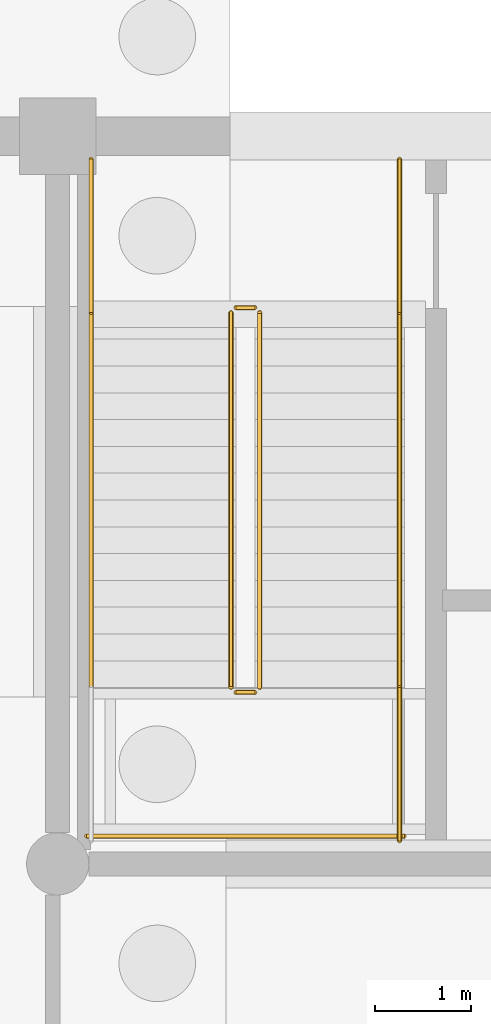
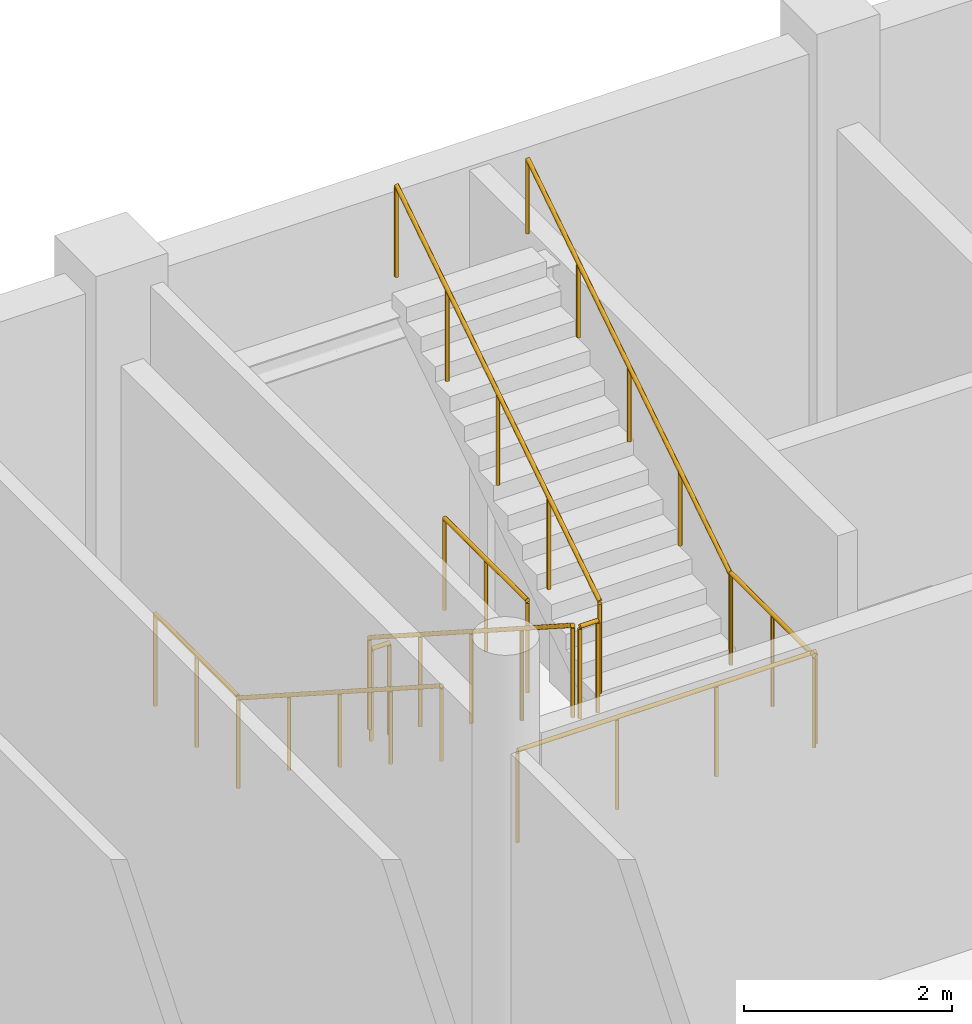
# One storey, part 42 of 44: 10 railings.
"""IFC4 building model written with IfcOpenShell, lengths in metres."""

import ifcopenshell
import ifcopenshell.guid

model = None  # the IFC model being written
_history = None  # IfcOwnerHistory: only IFC2X3 demands one
_inside = {}  # id of a spatial element -> (the spatial element, [elements in it])
_under = {}  # id of a project, library or spatial element -> (it, [spatial elements below it])
_declared = {}  # id of a project -> (the project, [libraries it declares])
_typed = {}  # id of a type object -> (the type object, [elements of that type])
_made_of = {}  # id of a material, layer set ... -> (it, [elements and type objects made of it])


def new_model(schema):
    """Start an empty IFC model of exactly this schema.

    Asked for "IFC4X3", IfcOpenShell would pick the latest addendum, in which some entities
    have other attributes; the version numbers below select the first issue.
    IFC2X3 requires an IfcOwnerHistory on every rooted entity: one is made here for all.
    """
    global model, _history
    if schema == "IFC4X3":
        model = ifcopenshell.file(schema_version=(4, 3, 0, 0))
    else:
        model = ifcopenshell.file(schema=schema)
    _inside.clear()
    _under.clear()
    _declared.clear()
    _typed.clear()
    _made_of.clear()
    _history = None
    if model.schema == "IFC2X3":
        org = make("IfcOrganization", Name="unknown")
        user = make(
            "IfcPersonAndOrganization",
            ThePerson=make("IfcPerson", FamilyName="unknown"),
            TheOrganization=org,
        )
        app = make(
            "IfcApplication",
            ApplicationDeveloper=org,
            Version="unknown",
            ApplicationFullName="unknown",
            ApplicationIdentifier="unknown",
        )
        _history = make(
            "IfcOwnerHistory",
            OwningUser=user,
            OwningApplication=app,
            ChangeAction="ADDED",
            CreationDate=0,
        )
    return model


def make(cls, **values):
    """One entity of the class cls with the attributes given. An attribute that is None is left unset."""
    return model.create_entity(
        cls, **{name: value for name, value in values.items() if value is not None}
    )


def rooted(cls, **values):
    """An entity with a GlobalId (a new one), such as an element, a storey or a relation."""
    return make(cls, GlobalId=ifcopenshell.guid.new(), OwnerHistory=_history, **values)


def si_unit(unit_type, name, prefix=None):
    """IfcSIUnit, for example si_unit("LENGTHUNIT", "METRE", prefix="MILLI")."""
    return make("IfcSIUnit", UnitType=unit_type, Prefix=prefix, Name=name)


def assignment(units):
    """IfcUnitAssignment: the units of a project."""
    return None if units is None else make("IfcUnitAssignment", Units=units)


def point(xyz):
    """IfcCartesianPoint."""
    return None if xyz is None else make("IfcCartesianPoint", Coordinates=xyz)


def direction(xyz):
    """IfcDirection."""
    return None if xyz is None else make("IfcDirection", DirectionRatios=xyz)


def frame(location, z_axis=None, x_axis=None):
    """IfcAxis2Placement3D, a coordinate frame: its origin and axes. An axis left out is left unset."""
    return make(
        "IfcAxis2Placement3D",
        Location=point(location),
        Axis=direction(z_axis),
        RefDirection=direction(x_axis),
    )


def frame_2d(location, x_axis=None):
    """IfcAxis2Placement2D, a coordinate frame in the plane: its origin and x axis."""
    return make(
        "IfcAxis2Placement2D", Location=point(location), RefDirection=direction(x_axis)
    )


def origin():
    """The frame at (0, 0, 0) with its axes left unset."""
    return frame((0.0, 0.0, 0.0))


def origin_2d():
    """The frame at (0, 0) in the plane with its x axis left unset."""
    return frame_2d((0.0, 0.0))


def place(relative_to, where):
    """IfcLocalPlacement: puts the frame where relative to a parent placement (None: the world)."""
    return make(
        "IfcLocalPlacement", PlacementRelTo=relative_to, RelativePlacement=where
    )


def context(
    kind, dimensions, precision=None, world=None, true_north=None, identifier=None
):
    """IfcGeometricRepresentationContext, for example the 3D "Model" context."""
    return make(
        "IfcGeometricRepresentationContext",
        ContextIdentifier=identifier,
        ContextType=kind,
        CoordinateSpaceDimension=dimensions,
        Precision=precision,
        WorldCoordinateSystem=world,
        TrueNorth=true_north,
    )


def subcontext(parent, identifier, kind, view, scale=None):
    """IfcGeometricRepresentationSubContext, for example "Body" below "Model"."""
    return make(
        "IfcGeometricRepresentationSubContext",
        ContextIdentifier=identifier,
        ContextType=kind,
        ParentContext=parent,
        TargetScale=scale,
        TargetView=view,
    )


def project(units=None, contexts=None):
    """IfcProject with its units and contexts."""
    return rooted(
        "IfcProject",
        Name="project",
        RepresentationContexts=contexts,
        UnitsInContext=assignment(units),
    )


def spatial(cls, under=None, at=None, **own):
    """A site, building, storey or space (cls), placed at a placement, below another one or the project."""
    s = rooted(cls, ObjectPlacement=at, **own)
    if under is not None:
        _under.setdefault(under.id(), (under, []))[1].append(s)
    return s


def profile(cls, at=None, kind="AREA", **sizes):
    """A parametric profile (cls). Its sizes go by their IFC names, for example OverallWidth=200.0."""
    return make(cls, ProfileType=kind, Position=at, **sizes)


def circle(**sizes):
    """IfcCircleProfileDef."""
    return profile("IfcCircleProfileDef", **sizes)


def extrude(swept, where, along, depth):
    """IfcExtrudedAreaSolid: the profile swept, set in the frame where, extruded along a direction by depth."""
    return make(
        "IfcExtrudedAreaSolid",
        SweptArea=swept,
        Position=where,
        ExtrudedDirection=direction(along),
        Depth=depth,
    )


def shape(context_of_items, identifier, shape_type, items):
    """IfcShapeRepresentation: the items that make up one representation, for example the "Body"."""
    return make(
        "IfcShapeRepresentation",
        ContextOfItems=context_of_items,
        RepresentationIdentifier=identifier,
        RepresentationType=shape_type,
        Items=items,
    )


def material(Name=None, Category=None):
    """IfcMaterial."""
    return make("IfcMaterial", Name=Name, Category=Category)


def made_of(thing, what):
    """Note that an element or type object is made of a material, layer set ...; save() writes the relation."""
    if what is not None:
        _made_of.setdefault(what.id(), (what, []))[1].append(thing)
    return thing


def type_object(cls, material=None, **own):
    """A type object (cls), such as IfcWallType, which elements share."""
    return made_of(rooted(cls, **own), material)


def element(
    cls,
    number,
    at=None,
    inside=None,
    cuts=None,
    type_object=None,
    material=None,
    context=None,
    identifier="Body",
    shape_type=None,
    held_by="IfcProductDefinitionShape",
    body=None,
    shapes=None,
    **own,
):
    """One element of the class cls, such as IfcWall. Its Tag is "e" and its number.

    at: its placement. inside: the storey or other place that contains it. cuts: it is an
    opening in that element (IfcRelVoidsElement). A single representation is given by context,
    identifier, shape_type and body (its items); several are given by shapes. held_by: the class
    of the entity that holds the representations. save() writes the other relations.
    """
    e = rooted(cls, Tag="e%d" % number, ObjectPlacement=at, **own)
    if body is not None:
        shapes = [shape(context, identifier, shape_type, body)]
    if shapes is not None:
        e.Representation = make(held_by, Representations=shapes)
    if inside is not None:
        _inside.setdefault(inside.id(), (inside, []))[1].append(e)
    if cuts is not None:
        rooted(
            "IfcRelVoidsElement", RelatingBuildingElement=cuts, RelatedOpeningElement=e
        )
    if type_object is not None:
        _typed.setdefault(type_object.id(), (type_object, []))[1].append(e)
    return made_of(e, material)


def aggregate(whole, parts):
    """IfcRelAggregates: a whole, such as a stair, and the parts it consists of."""
    return rooted("IfcRelAggregates", RelatingObject=whole, RelatedObjects=parts)


def save(model, path):
    """Write the relations noted so far, then the file.

    IfcRelAggregates (storeys below a building ...), IfcRelContainedInSpatialStructure (elements
    in a storey), IfcRelDefinesByType, IfcRelAssociatesMaterial and IfcRelDeclares: one each for
    every whole, place, type object, material and project.
    """
    for whole, parts in _under.values():
        aggregate(whole, parts)
    for where, things in _inside.values():
        rooted(
            "IfcRelContainedInSpatialStructure",
            RelatedElements=things,
            RelatingStructure=where,
        )
    for kind, things in _typed.values():
        rooted("IfcRelDefinesByType", RelatedObjects=things, RelatingType=kind)
    for what, things in _made_of.values():
        rooted("IfcRelAssociatesMaterial", RelatedObjects=things, RelatingMaterial=what)
    for by, libraries in _declared.values():
        rooted("IfcRelDeclares", RelatingContext=by, RelatedDefinitions=libraries)
    model.write(path)


model = new_model("IFC4")

# Units and contexts
model_context = context("Model", 3, precision=1e-05, world=origin(), true_north=direction((0.0, 1.0)))
body_context = subcontext(model_context, "Body", "Model", "MODEL_VIEW")
ifc_project = project(units=[si_unit("LENGTHUNIT", "METRE"), si_unit("AREAUNIT", "SQUARE_METRE"), si_unit("VOLUMEUNIT", "CUBIC_METRE"), si_unit("PLANEANGLEUNIT", "RADIAN"), si_unit("MASSUNIT", "GRAM", prefix="KILO")], contexts=[model_context])

# Site, building, storey
site_placement = place(None, origin())
site = spatial("IfcSite", under=ifc_project, at=site_placement, CompositionType="ELEMENT")
building_placement = place(site_placement, origin())
building = spatial("IfcBuilding", under=site, at=building_placement, Name="Khelvaren Railside Concert Hall", CompositionType="ELEMENT")
storey_placement = place(building_placement, frame((0.0, 0.0, -5.39990234375)))
storey = spatial("IfcBuildingStorey", under=building, at=storey_placement, Name="B1", CompositionType="ELEMENT", Elevation=-5.39990234375)

# Railings
ifc_material_1 = material(Name="Painted architectural steel", Category="steel")
railing_type_1 = type_object("IfcRailingType", Name="GRD86", PredefinedType="GUARDRAIL", material=ifc_material_1)
railing_1_placement = place(storey_placement, frame((169.81005859375, 36.159912109375, 0.179931640625)))
element("IfcRailing", 1, at=railing_1_placement, inside=storey, type_object=railing_type_1, Name="B1 ST-04 stair guard 1", PredefinedType="GUARDRAIL", context=body_context, shape_type="SweptSolid", body=[
    extrude(circle(Radius=0.02392578125, at=origin_2d()), frame((0.0, 0.0, 1.076171875), z_axis=(0.0, -0.841171666519, 0.540768182723), x_axis=(1.0, 0.0, 0.0)), (0.0, 0.0, 1.0), 4.66015625),
    extrude(circle(Radius=0.02099609375, at=origin_2d()), origin(), (0.0, 0.0, 1.0), 1.052001953125),
    extrude(circle(Radius=0.02099609375, at=origin_2d()), frame((0.0, -0.97998046875, 0.6298828125)), (0.0, 0.0, 1.0), 1.052001953125),
    extrude(circle(Radius=0.02099609375, at=origin_2d()), frame((0.0, -1.9599609375, 1.260009765625)), (0.0, 0.0, 1.0), 1.052001953125),
    extrude(circle(Radius=0.02099609375, at=origin_2d()), frame((0.0, -2.93994140625, 1.89013671875)), (0.0, 0.0, 1.0), 1.052001953125),
    extrude(circle(Radius=0.02099609375, at=origin_2d()), frame((0.0, -3.919921875, 2.52001953125)), (0.0, 0.0, 1.0), 1.052001953125),
])
railing_2_placement = place(storey_placement, frame((169.860107421875, 32.18994140625, 2.699951171875)))
element("IfcRailing", 2, at=railing_2_placement, inside=storey, type_object=railing_type_1, Name="B1 ST-04 stair guard 2", PredefinedType="GUARDRAIL", context=body_context, shape_type="SweptSolid", body=[
    extrude(circle(Radius=0.02392578125, at=origin_2d()), frame((0.0, 0.0, 1.076171875), z_axis=(1.0, 0.0, 0.0), x_axis=(0.0, 1.0, 0.0)), (0.0, 0.0, 1.0), 0.199951171875),
    extrude(circle(Radius=0.02099609375, at=origin_2d()), origin(), (0.0, 0.0, 1.0), 1.052001953125),
    extrude(circle(Radius=0.02099609375, at=origin_2d()), frame((0.199951171875, 0.0, 0.0)), (0.0, 0.0, 1.0), 1.052001953125),
])
railing_3_placement = place(storey_placement, frame((171.570068359375, 32.239990234375, 2.699951171875)))
element("IfcRailing", 3, at=railing_3_placement, inside=storey, type_object=railing_type_1, Name="B1 ST-04 stair guard 4", PredefinedType="GUARDRAIL", context=body_context, shape_type="SweptSolid", body=[
    extrude(circle(Radius=0.02392578125, at=origin_2d()), frame((0.0, 0.0, 1.076171875), z_axis=(0.0, -1.0, 0.0), x_axis=(1.0, 0.0, 0.0)), (0.0, 0.0, 1.0), 1.60009765625),
    extrude(circle(Radius=0.02099609375, at=origin_2d()), origin(), (0.0, 0.0, 1.0), 1.052001953125),
    extrude(circle(Radius=0.02099609375, at=origin_2d()), frame((0.0, -0.800048828125, 0.0)), (0.0, 0.0, 1.0), 1.052001953125),
    extrude(circle(Radius=0.02099609375, at=origin_2d()), frame((0.0, -1.60009765625, 0.0)), (0.0, 0.0, 1.0), 1.052001953125),
])
railing_4_placement = place(storey_placement, frame((168.300048828125, 30.68994140625, 2.699951171875)))
element("IfcRailing", 4, at=railing_4_placement, inside=storey, type_object=railing_type_1, Name="B1 ST-04 stair guard 5", PredefinedType="GUARDRAIL", context=body_context, shape_type="SweptSolid", body=[
    extrude(circle(Radius=0.02392578125, at=origin_2d()), frame((0.0, 0.0, 1.076171875), z_axis=(1.0, 0.0, 0.0), x_axis=(0.0, 1.0, 0.0)), (0.0, 0.0, 1.0), 3.320068359375),
    extrude(circle(Radius=0.02099609375, at=origin_2d()), origin(), (0.0, 0.0, 1.0), 1.052001953125),
    extrude(circle(Radius=0.02099609375, at=origin_2d()), frame((1.106689453125, 0.0, 0.0)), (0.0, 0.0, 1.0), 1.052001953125),
    extrude(circle(Radius=0.02099609375, at=origin_2d()), frame((2.21337890625, 0.0, 0.0)), (0.0, 0.0, 1.0), 1.052001953125),
    extrude(circle(Radius=0.02099609375, at=origin_2d()), frame((3.320068359375, 0.0, 0.0)), (0.0, 0.0, 1.0), 1.052001953125),
])
railing_5_placement = place(storey_placement, frame((170.110107421875, 32.239990234375, 2.8798828125)))
element("IfcRailing", 5, at=railing_5_placement, inside=storey, type_object=railing_type_1, Name="B1 ST-04 stair guard 6", PredefinedType="GUARDRAIL", context=body_context, shape_type="SweptSolid", body=[
    extrude(circle(Radius=0.02392578125, at=origin_2d()), frame((0.0, 0.0, 1.076171875), z_axis=(0.0, 0.841171666519, 0.540768182723), x_axis=(-1.0, 0.0, 0.0)), (0.0, 0.0, 1.0), 4.66015625),
    extrude(circle(Radius=0.02099609375, at=origin_2d()), origin(), (0.0, 0.0, 1.0), 1.052001953125),
    extrude(circle(Radius=0.02099609375, at=origin_2d()), frame((0.0, 0.97998046875, 0.6298828125)), (0.0, 0.0, 1.0), 1.052001953125),
    extrude(circle(Radius=0.02099609375, at=origin_2d()), frame((0.0, 1.9599609375, 1.260009765625)), (0.0, 0.0, 1.0), 1.052001953125),
    extrude(circle(Radius=0.02099609375, at=origin_2d()), frame((0.0, 2.93994140625, 1.89013671875)), (0.0, 0.0, 1.0), 1.052001953125),
    extrude(circle(Radius=0.02099609375, at=origin_2d()), frame((0.0, 3.919921875, 2.52001953125)), (0.0, 0.0, 1.0), 1.052001953125),
])
railing_6_placement = place(storey_placement, frame((169.860107421875, 36.2099609375, 0.0)))
element("IfcRailing", 6, at=railing_6_placement, inside=storey, type_object=railing_type_1, Name="B1 ST-04 stair guard 7", PredefinedType="GUARDRAIL", context=body_context, shape_type="SweptSolid", body=[
    extrude(circle(Radius=0.02392578125, at=origin_2d()), frame((0.0, 0.0, 1.076171875), z_axis=(1.0, 0.0, 0.0), x_axis=(0.0, 1.0, 0.0)), (0.0, 0.0, 1.0), 0.199951171875),
    extrude(circle(Radius=0.02099609375, at=origin_2d()), origin(), (0.0, 0.0, 1.0), 1.052001953125),
    extrude(circle(Radius=0.02099609375, at=origin_2d()), frame((0.199951171875, 0.0, 0.0)), (0.0, 0.0, 1.0), 1.052001953125),
])
for number, where, name in (
    (7, (168.35009765625, 37.760009765625, 0.0), "B1 ST-04 stair guard 8"),
    (8, (171.570068359375, 37.760009765625, 0.0), "B1 ST-04 stair guard 9"),
):
    element("IfcRailing", number, at=place(storey_placement, frame(where)), inside=storey, type_object=railing_type_1, Name=name, PredefinedType="GUARDRAIL", context=body_context, shape_type="SweptSolid", body=[
        extrude(circle(Radius=0.02392578125, at=origin_2d()), frame((0.0, 0.0, 1.076171875), z_axis=(0.0, -1.0, 0.0), x_axis=(1.0, 0.0, 0.0)), (0.0, 0.0, 1.0), 1.60009765625),
        extrude(circle(Radius=0.02099609375, at=origin_2d()), origin(), (0.0, 0.0, 1.0), 1.052001953125),
        extrude(circle(Radius=0.02099609375, at=origin_2d()), frame((0.0, -0.800048828125, 0.0)), (0.0, 0.0, 1.0), 1.052001953125),
        extrude(circle(Radius=0.02099609375, at=origin_2d()), frame((0.0, -1.60009765625, 0.0)), (0.0, 0.0, 1.0), 1.052001953125),
    ])
ifc_material_2 = material(Name="Brushed stainless steel Grade 316", Category="steel")
railing_type_2 = type_object("IfcRailingType", Name="HRL59", PredefinedType="HANDRAIL", material=ifc_material_2)
railing_7_placement = place(storey_placement, frame((168.35009765625, 36.159912109375, 0.179931640625)))
element("IfcRailing", 9, at=railing_7_placement, inside=storey, type_object=railing_type_2, Name="B1 ST-04 stair handrail 1", PredefinedType="HANDRAIL", context=body_context, shape_type="SweptSolid", body=[
    extrude(circle(Radius=0.02392578125, at=origin_2d()), frame((0.0, 0.0, 0.8759765625), z_axis=(0.0, -0.841171666519, 0.540768182723), x_axis=(1.0, 0.0, 0.0)), (0.0, 0.0, 1.0), 4.66015625),
    extrude(circle(Radius=0.02099609375, at=origin_2d()), origin(), (0.0, 0.0, 1.0), 0.851806640625),
    extrude(circle(Radius=0.02099609375, at=origin_2d()), frame((0.0, -0.97998046875, 0.6298828125)), (0.0, 0.0, 1.0), 0.851806640625),
    extrude(circle(Radius=0.02099609375, at=origin_2d()), frame((0.0, -1.9599609375, 1.260009765625)), (0.0, 0.0, 1.0), 0.851806640625),
    extrude(circle(Radius=0.02099609375, at=origin_2d()), frame((0.0, -2.93994140625, 1.89013671875)), (0.0, 0.0, 1.0), 0.851806640625),
    extrude(circle(Radius=0.02099609375, at=origin_2d()), frame((0.0, -3.919921875, 2.52001953125)), (0.0, 0.0, 1.0), 0.851806640625),
])
railing_8_placement = place(storey_placement, frame((171.570068359375, 32.239990234375, 2.8798828125)))
element("IfcRailing", 10, at=railing_8_placement, inside=storey, type_object=railing_type_2, Name="B1 ST-04 stair handrail 2", PredefinedType="HANDRAIL", context=body_context, shape_type="SweptSolid", body=[
    extrude(circle(Radius=0.02392578125, at=origin_2d()), frame((0.0, 0.0, 0.8759765625), z_axis=(0.0, 0.841171666519, 0.540768182723), x_axis=(-1.0, 0.0, 0.0)), (0.0, 0.0, 1.0), 4.66015625),
    extrude(circle(Radius=0.02099609375, at=origin_2d()), origin(), (0.0, 0.0, 1.0), 0.851806640625),
    extrude(circle(Radius=0.02099609375, at=origin_2d()), frame((0.0, 0.97998046875, 0.6298828125)), (0.0, 0.0, 1.0), 0.851806640625),
    extrude(circle(Radius=0.02099609375, at=origin_2d()), frame((0.0, 1.9599609375, 1.260009765625)), (0.0, 0.0, 1.0), 0.851806640625),
    extrude(circle(Radius=0.02099609375, at=origin_2d()), frame((0.0, 2.93994140625, 1.89013671875)), (0.0, 0.0, 1.0), 0.851806640625),
    extrude(circle(Radius=0.02099609375, at=origin_2d()), frame((0.0, 3.919921875, 2.52001953125)), (0.0, 0.0, 1.0), 0.851806640625),
])

save(model, "model.ifc")
